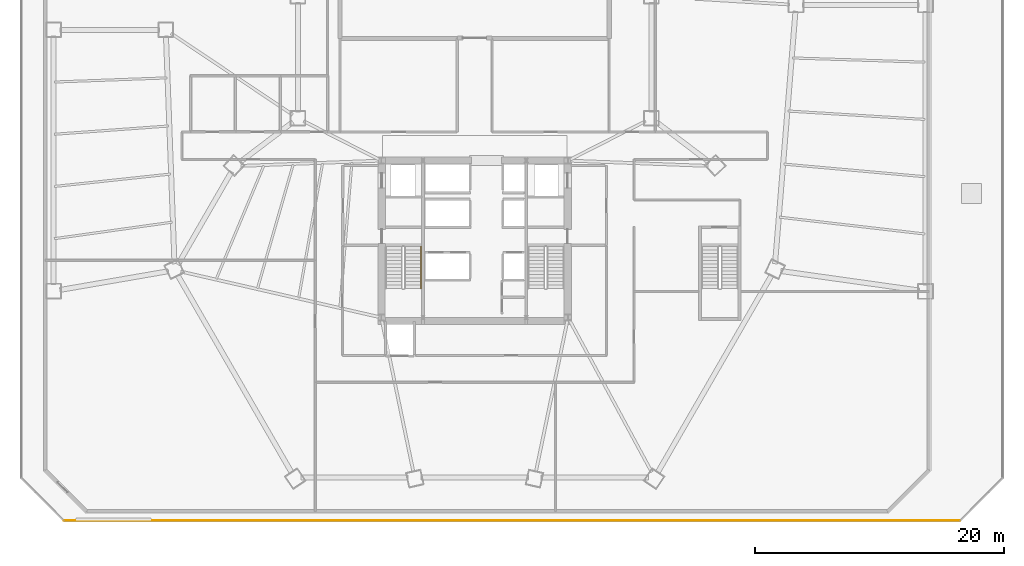
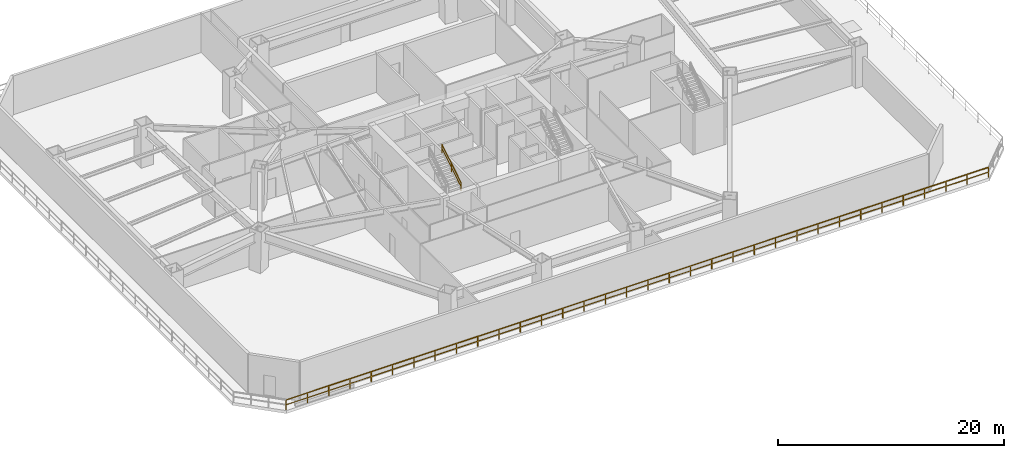
# One storey, part 11 of 13: 2 railings.
"""IFC4 building model written with IfcOpenShell, lengths in metres."""

from ifc_helpers import new_model, si_unit, direction, frame, origin, origin_2d, place, context, subcontext, project, spatial, rectangle, extrude, material, layer, layer_set, type_object, element, save


model = new_model("IFC4")

# Units and contexts
model_context = context("Model", 3, precision=1e-05, world=origin(), true_north=direction((0.0, 1.0)))
body_context = subcontext(model_context, "Body", "Model", "MODEL_VIEW")
ifc_project = project(units=[si_unit("LENGTHUNIT", "METRE"), si_unit("AREAUNIT", "SQUARE_METRE"), si_unit("VOLUMEUNIT", "CUBIC_METRE"), si_unit("PLANEANGLEUNIT", "RADIAN"), si_unit("MASSUNIT", "GRAM", prefix="KILO")], contexts=[model_context])

# Site, building, storey
site_placement = place(None, origin())
site = spatial("IfcSite", under=ifc_project, at=site_placement, CompositionType="ELEMENT")
building_placement = place(site_placement, origin())
building = spatial("IfcBuilding", under=site, at=building_placement, Name="Caelisora Broadcast Tower", CompositionType="ELEMENT")
storey_placement = place(building_placement, frame((0.0, 0.0, 10.199951171875)))
storey = spatial("IfcBuildingStorey", under=building, at=storey_placement, Name="L02", CompositionType="ELEMENT", Elevation=10.199951171875)

# Railings
ifc_material_1 = material(Name="Laminated Glass and Stainless Steel Terrace Balustrade", Category="steel")
ifc_layer_1 = layer(ifc_material_1, 0.048095703125, Name="Laminated Glass and Stainless Steel Terrace Balustrade")
ifc_layer_set_1 = layer_set([ifc_layer_1], Name="Laminated Glass and Stainless Steel Terrace Balustrade")
railing_type_1 = type_object("IfcRailingType", Name="BL-1", PredefinedType="BALUSTRADE", material=ifc_layer_set_1)
railing_1_placement = place(storey_placement, frame((76.949951171875, 1.1201171875, 0.0)))
element("IfcRailing", 1, at=railing_1_placement, inside=storey, type_object=railing_type_1, Name="L02 balustrade BL-1 #08", PredefinedType="BALUSTRADE", context=body_context, shape_type="SweptSolid", body=[
    extrude(rectangle(XDim=0.048095703125, YDim=0.048095703125, at=origin_2d()), frame((0.0, 0.0, 1.076171875), z_axis=(-1.0, 0.0, 0.0), x_axis=(0.0, -1.0, 0.0)), (0.0, 0.0, 1.0), 71.89990234375),
    extrude(rectangle(XDim=0.03125, YDim=0.03125, at=origin_2d()), frame((0.0, 0.0, 0.550048828125), z_axis=(-1.0, 0.0, 0.0), x_axis=(0.0, -1.0, 0.0)), (0.0, 0.0, 1.0), 71.89990234375),
    extrude(rectangle(XDim=0.0419921875, YDim=0.0419921875, at=origin_2d()), origin(), (0.0, 0.0, 1.0), 1.052001953125),
    extrude(rectangle(XDim=0.0419921875, YDim=0.0419921875, at=origin_2d()), frame((-2.1787109375, 0.0, 0.0)), (0.0, 0.0, 1.0), 1.052001953125),
    extrude(rectangle(XDim=0.0419921875, YDim=0.0419921875, at=origin_2d()), frame((-4.357666015625, 0.0, 0.0)), (0.0, 0.0, 1.0), 1.052001953125),
    extrude(rectangle(XDim=0.0419921875, YDim=0.0419921875, at=origin_2d()), frame((-6.536376953125, 0.0, 0.0)), (0.0, 0.0, 1.0), 1.052001953125),
    extrude(rectangle(XDim=0.0419921875, YDim=0.0419921875, at=origin_2d()), frame((-8.715087890625, 0.0, 0.0)), (0.0, 0.0, 1.0), 1.052001953125),
    extrude(rectangle(XDim=0.0419921875, YDim=0.0419921875, at=origin_2d()), frame((-10.89404296875, 0.0, 0.0)), (0.0, 0.0, 1.0), 1.052001953125),
    extrude(rectangle(XDim=0.0419921875, YDim=0.0419921875, at=origin_2d()), frame((-13.07275390625, 0.0, 0.0)), (0.0, 0.0, 1.0), 1.052001953125),
    extrude(rectangle(XDim=0.0419921875, YDim=0.0419921875, at=origin_2d()), frame((-15.25146484375, 0.0, 0.0)), (0.0, 0.0, 1.0), 1.052001953125),
    extrude(rectangle(XDim=0.0419921875, YDim=0.0419921875, at=origin_2d()), frame((-17.43017578125, 0.0, 0.0)), (0.0, 0.0, 1.0), 1.052001953125),
    extrude(rectangle(XDim=0.0419921875, YDim=0.0419921875, at=origin_2d()), frame((-19.609130859375, 0.0, 0.0)), (0.0, 0.0, 1.0), 1.052001953125),
    extrude(rectangle(XDim=0.0419921875, YDim=0.0419921875, at=origin_2d()), frame((-21.787841796875, 0.0, 0.0)), (0.0, 0.0, 1.0), 1.052001953125),
    extrude(rectangle(XDim=0.0419921875, YDim=0.0419921875, at=origin_2d()), frame((-23.966552734375, 0.0, 0.0)), (0.0, 0.0, 1.0), 1.052001953125),
    extrude(rectangle(XDim=0.0419921875, YDim=0.0419921875, at=origin_2d()), frame((-26.1455078125, 0.0, 0.0)), (0.0, 0.0, 1.0), 1.052001953125),
    extrude(rectangle(XDim=0.0419921875, YDim=0.0419921875, at=origin_2d()), frame((-28.32421875, 0.0, 0.0)), (0.0, 0.0, 1.0), 1.052001953125),
    extrude(rectangle(XDim=0.0419921875, YDim=0.0419921875, at=origin_2d()), frame((-30.5029296875, 0.0, 0.0)), (0.0, 0.0, 1.0), 1.052001953125),
    extrude(rectangle(XDim=0.0419921875, YDim=0.0419921875, at=origin_2d()), frame((-32.681884765625, 0.0, 0.0)), (0.0, 0.0, 1.0), 1.052001953125),
    extrude(rectangle(XDim=0.0419921875, YDim=0.0419921875, at=origin_2d()), frame((-34.860595703125, 0.0, 0.0)), (0.0, 0.0, 1.0), 1.052001953125),
    extrude(rectangle(XDim=0.0419921875, YDim=0.0419921875, at=origin_2d()), frame((-37.039306640625, 0.0, 0.0)), (0.0, 0.0, 1.0), 1.052001953125),
    extrude(rectangle(XDim=0.0419921875, YDim=0.0419921875, at=origin_2d()), frame((-39.218017578125, 0.0, 0.0)), (0.0, 0.0, 1.0), 1.052001953125),
    extrude(rectangle(XDim=0.0419921875, YDim=0.0419921875, at=origin_2d()), frame((-41.39697265625, 0.0, 0.0)), (0.0, 0.0, 1.0), 1.052001953125),
    extrude(rectangle(XDim=0.0419921875, YDim=0.0419921875, at=origin_2d()), frame((-43.57568359375, 0.0, 0.0)), (0.0, 0.0, 1.0), 1.052001953125),
    extrude(rectangle(XDim=0.0419921875, YDim=0.0419921875, at=origin_2d()), frame((-45.75439453125, 0.0, 0.0)), (0.0, 0.0, 1.0), 1.052001953125),
    extrude(rectangle(XDim=0.0419921875, YDim=0.0419921875, at=origin_2d()), frame((-47.933349609375, 0.0, 0.0)), (0.0, 0.0, 1.0), 1.052001953125),
    extrude(rectangle(XDim=0.0419921875, YDim=0.0419921875, at=origin_2d()), frame((-50.112060546875, 0.0, 0.0)), (0.0, 0.0, 1.0), 1.052001953125),
    extrude(rectangle(XDim=0.0419921875, YDim=0.0419921875, at=origin_2d()), frame((-52.290771484375, 0.0, 0.0)), (0.0, 0.0, 1.0), 1.052001953125),
    extrude(rectangle(XDim=0.0419921875, YDim=0.0419921875, at=origin_2d()), frame((-54.4697265625, 0.0, 0.0)), (0.0, 0.0, 1.0), 1.052001953125),
    extrude(rectangle(XDim=0.0419921875, YDim=0.0419921875, at=origin_2d()), frame((-56.6484375, 0.0, 0.0)), (0.0, 0.0, 1.0), 1.052001953125),
    extrude(rectangle(XDim=0.0419921875, YDim=0.0419921875, at=origin_2d()), frame((-58.8271484375, 0.0, 0.0)), (0.0, 0.0, 1.0), 1.052001953125),
    extrude(rectangle(XDim=0.0419921875, YDim=0.0419921875, at=origin_2d()), frame((-61.005859375, 0.0, 0.0)), (0.0, 0.0, 1.0), 1.052001953125),
    extrude(rectangle(XDim=0.0419921875, YDim=0.0419921875, at=origin_2d()), frame((-63.184814453125, 0.0, 0.0)), (0.0, 0.0, 1.0), 1.052001953125),
    extrude(rectangle(XDim=0.0419921875, YDim=0.0419921875, at=origin_2d()), frame((-65.363525390625, 0.0, 0.0)), (0.0, 0.0, 1.0), 1.052001953125),
    extrude(rectangle(XDim=0.0419921875, YDim=0.0419921875, at=origin_2d()), frame((-67.542236328125, 0.0, 0.0)), (0.0, 0.0, 1.0), 1.052001953125),
    extrude(rectangle(XDim=0.0419921875, YDim=0.0419921875, at=origin_2d()), frame((-69.72119140625, 0.0, 0.0)), (0.0, 0.0, 1.0), 1.052001953125),
    extrude(rectangle(XDim=0.0419921875, YDim=0.0419921875, at=origin_2d()), frame((-71.89990234375, 0.0, 0.0)), (0.0, 0.0, 1.0), 1.052001953125),
])
ifc_material_2 = material(Name="Stainless Steel Grade 316 Tubular Handrail", Category="steel")
ifc_layer_2 = layer(ifc_material_2, 0.048095703125, Name="Stainless Steel Grade 316 Tubular Handrail")
ifc_layer_set_2 = layer_set([ifc_layer_2], Name="Stainless Steel Grade 316 Tubular Handrail")
railing_type_2 = type_object("IfcRailingType", Name="HR-1", PredefinedType="HANDRAIL", material=ifc_layer_set_2)
railing_2_placement = place(storey_placement, frame((33.68994140625, 19.739990234375, 2.423095703125)))
element("IfcRailing", 2, at=railing_2_placement, inside=storey, type_object=railing_type_2, Name="L02 ST-1 stair handrail 2", PredefinedType="HANDRAIL", context=body_context, shape_type="SweptSolid", body=[
    extrude(rectangle(XDim=0.048095703125, YDim=0.048095703125, at=origin_2d()), frame((0.0, 0.0, 0.8759765625), z_axis=(0.0, 0.850623216509, 0.525775754039), x_axis=(-1.0, 0.0, 0.0)), (0.0, 0.0, 1.0), 3.9501953125),
    extrude(rectangle(XDim=0.03125, YDim=0.03125, at=origin_2d()), frame((0.0, 0.0, 0.449951171875), z_axis=(0.0, 0.850623216509, 0.525775754039), x_axis=(-1.0, 0.0, 0.0)), (0.0, 0.0, 1.0), 3.9501953125),
    extrude(rectangle(XDim=0.0419921875, YDim=0.0419921875, at=origin_2d()), origin(), (0.0, 0.0, 1.0), 0.851806640625),
    extrude(rectangle(XDim=0.0419921875, YDim=0.0419921875, at=origin_2d()), frame((0.0, 1.68017578125, 1.03857421875)), (0.0, 0.0, 1.0), 0.851806640625),
    extrude(rectangle(XDim=0.0419921875, YDim=0.0419921875, at=origin_2d()), frame((0.0, 3.360107421875, 2.076904296875)), (0.0, 0.0, 1.0), 0.851806640625),
])

save(model, "model.ifc")
